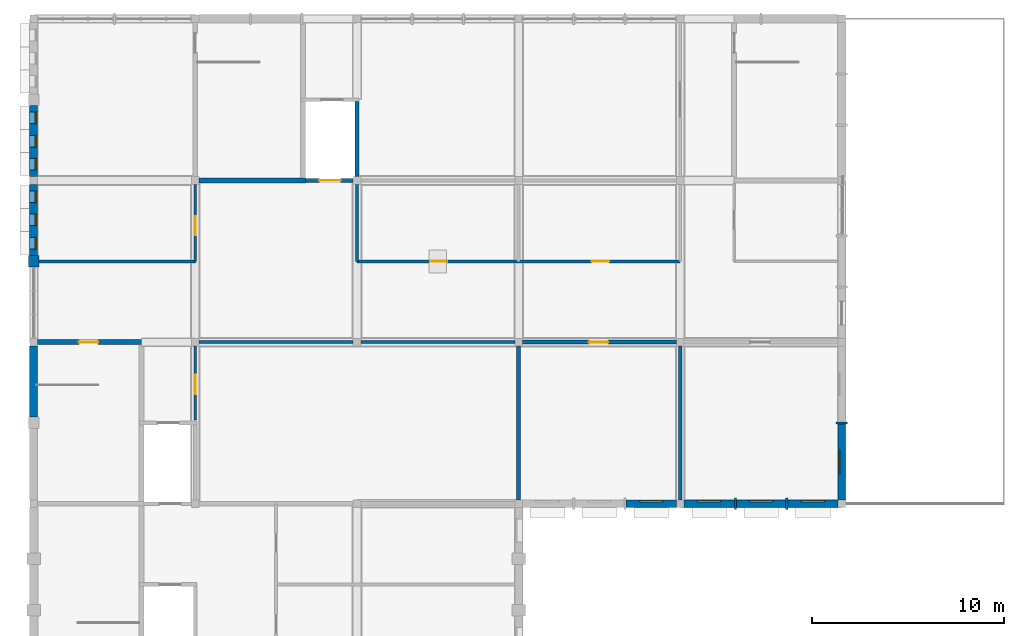
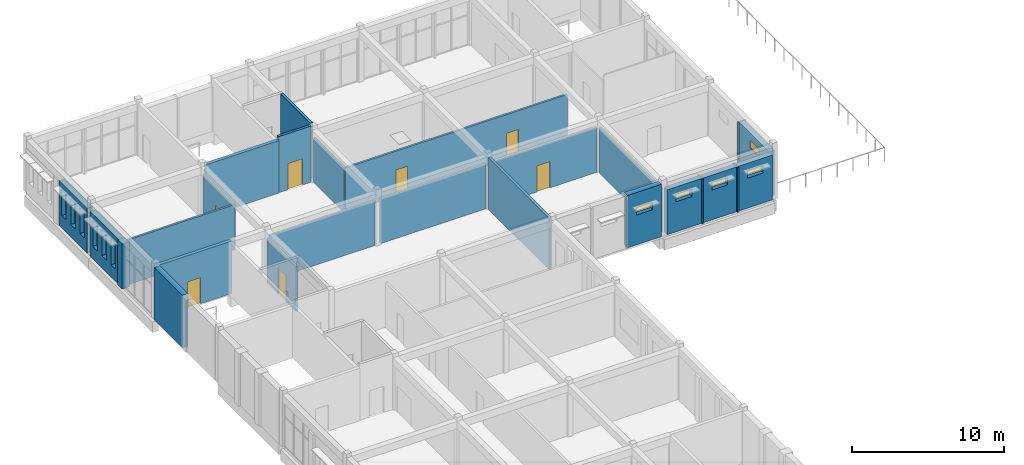
# One storey, part 13 of 15: 26 walls, 11 windows, 7 doors, 18 openings.
"""IFC4 building model written with IfcOpenShell, lengths in metres."""

from ifc_helpers import new_model, si_unit, direction, frame, frame_2d, origin, place, context, subcontext, project, spatial, rectangle, extrude, material, layer, layer_set, type_object, element, fill, save


model = new_model("IFC4")

# Units and contexts
model_context = context("Model", 3, precision=1e-05, world=origin(), true_north=direction((0.0, 1.0)))
body_context = subcontext(model_context, "Body", "Model", "MODEL_VIEW")
ifc_project = project(units=[si_unit("LENGTHUNIT", "METRE"), si_unit("AREAUNIT", "SQUARE_METRE"), si_unit("VOLUMEUNIT", "CUBIC_METRE"), si_unit("PLANEANGLEUNIT", "RADIAN"), si_unit("MASSUNIT", "GRAM", prefix="KILO")], contexts=[model_context])

# Site, building, storey
site_placement = place(None, origin())
site = spatial("IfcSite", under=ifc_project, at=site_placement, CompositionType="ELEMENT")
building_placement = place(site_placement, origin())
building = spatial("IfcBuilding", under=site, at=building_placement, Name="Fescue Hill Polytechnic", CompositionType="ELEMENT")
storey_placement = place(building_placement, frame((0.0, 0.0, 31.5)))
storey = spatial("IfcBuildingStorey", under=building, at=storey_placement, Name="L07", CompositionType="ELEMENT", Elevation=31.5)

# Wall
ifc_material_1 = material(Name="Clay brick masonry", Category="masonry")
ifc_layer_1 = layer(ifc_material_1, 0.550048828125)
ifc_layer_set_1 = layer_set([ifc_layer_1], Name="Clay brick masonry")
wall_type_1 = type_object("IfcWallType", Name="Brick pier 600x550", PredefinedType="SOLIDWALL", material=ifc_layer_set_1)
wall_1_placement = place(storey_placement, frame((0.0, 122.10009765625, 0.0), z_axis=(0.0, 0.0, 1.0), x_axis=(0.0, -1.0, 0.0)))
element("IfcWall", 1, at=wall_1_placement, inside=storey, type_object=wall_type_1, Name="PR-L07-V5-15", PredefinedType="SOLIDWALL", context=body_context, shape_type="SweptSolid", body=[
    extrude(rectangle(XDim=0.60009765625, YDim=0.550048828125, at=frame_2d((0.300048828125, 0.0))), origin(), (0.0, 0.0, 1.0), 3.60009765625),
])

# Wall, opening, door
ifc_material_2 = material(Name="Concrete 40 MPa", Category="concrete")
ifc_layer_2 = layer(ifc_material_2, 0.25)
ifc_layer_set_2 = layer_set([ifc_layer_2], Name="Concrete 40 MPa")
wall_type_2 = type_object("IfcWallType", Name="Core wall 250", PredefinedType="SHEAR", material=ifc_layer_set_2)
wall_2_placement = place(storey_placement, frame((0.199951171875, 117.60009765625, 0.0), z_axis=(0.0, 0.0, 1.0), x_axis=(1.0, 0.0, 0.0)))
wall_2 = element("IfcWall", 2, at=wall_2_placement, inside=storey, type_object=wall_type_2, Name="CW-L07-ST-V5-1-21", PredefinedType="SHEAR", context=body_context, shape_type="SweptSolid", body=[
    extrude(rectangle(XDim=5.525146484375, YDim=0.25, at=frame_2d((2.7626953125, 0.0))), origin(), (0.0, 0.0, 1.0), 4.199951171875),
])
opening_1_placement = place(wall_2_placement, frame((2.14990234375, 0.0, 0.0)))
opening_1 = element("IfcOpeningElement", 3, at=opening_1_placement, cuts=wall_2, Name="Opening D7026", PredefinedType="OPENING", context=body_context, shape_type="SweptSolid", body=[
    extrude(rectangle(XDim=1.0, YDim=2.10009765625, at=frame_2d((0.5, 1.050048828125))), frame((0.0, 0.135009765625, 0.0), z_axis=(0.0, -1.0, 0.0), x_axis=(1.0, 0.0, 0.0)), (0.0, 0.0, 1.0), 0.27001953125),
])
ifc_material_3 = material(Name="Steel fire door", Category="steel")
door_type_1 = type_object("IfcDoorType", Name="Door single swing 1000x2100 stair fire rated", OperationType="NOTDEFINED", PredefinedType="DOOR", material=ifc_material_3)
door_1_placement = place(opening_1_placement, origin())
door_1 = element("IfcDoor", 4, at=door_1_placement, inside=storey, type_object=door_type_1, Name="L07 ST-V5-1 stair door", OperationType="SINGLE_SWING_LEFT", OverallHeight=2.10009765625, OverallWidth=1.0, PredefinedType="DOOR", context=body_context, shape_type="SweptSolid", body=[
    extrude(rectangle(XDim=1.0, YDim=2.10009765625, at=frame_2d((0.5, 1.050048828125))), frame((0.0, 0.02490234375, 0.0), z_axis=(0.0, -1.0, 0.0), x_axis=(1.0, 0.0, 0.0)), (0.0, 0.0, 1.0), 0.050048828125),
])
fill(opening_1, door_1)

# Walls
wall_3_placement = place(storey_placement, frame((8.60009765625, 126.0, 0.0), z_axis=(0.0, 0.0, 1.0), x_axis=(1.0, 0.0, 0.0)))
element("IfcWall", 5, at=wall_3_placement, inside=storey, type_object=wall_type_2, Name="CW-L07-ST-V5-3-11", PredefinedType="SHEAR", context=body_context, shape_type="SweptSolid", body=[
    extrude(rectangle(XDim=5.52490234375, YDim=0.25, at=frame_2d((2.762451171875, 0.0))), origin(), (0.0, 0.0, 1.0), 4.199951171875),
])
ifc_material_4 = material(Name="Gypsum board partition")
ifc_layer_3 = layer(ifc_material_4, 0.14990234375)
ifc_layer_set_3 = layer_set([ifc_layer_3], Name="Gypsum board partition")
wall_type_3 = type_object("IfcWallType", Name="Corridor wall 150 EI 45", PredefinedType="PARTITIONING", material=ifc_layer_set_3)
for number, where, z_axis, x_axis, name in (
    (6, (8.60009765625, 117.60009765625, 0.0), (0.0, 0.0, 1.0), (1.0, 0.0, 0.0), "IW-L07-021"),
    (7, (17.0, 117.60009765625, 0.0), (0.0, 0.0, 1.0), (1.0, 0.0, 0.0), "IW-L07-022"),
):
    element("IfcWall", number, at=place(storey_placement, frame(where, z_axis=z_axis, x_axis=x_axis)), inside=storey, type_object=wall_type_3, Name=name, PredefinedType="PARTITIONING", context=body_context, shape_type="SweptSolid", body=[
        extrude(rectangle(XDim=8.0, YDim=0.14990234375, at=frame_2d((4.0, 0.0))), origin(), (0.0, 0.0, 1.0), 3.60009765625),
    ])
wall_4_placement = place(storey_placement, frame((0.27490234375, 121.800048828125, 0.0), z_axis=(0.0, 0.0, 1.0), x_axis=(1.0, 0.0, 0.0)))
element("IfcWall", 8, at=wall_4_placement, inside=storey, type_object=wall_type_3, Name="IW-L07-025", PredefinedType="PARTITIONING", context=body_context, shape_type="SweptSolid", body=[
    extrude(rectangle(XDim=8.125, YDim=0.14990234375, at=frame_2d((4.0625, 0.0))), origin(), (0.0, 0.0, 1.0), 3.60009765625),
])

# Wall, openings, doors
wall_5_placement = place(storey_placement, frame((16.800048828125, 121.800048828125, 0.0), z_axis=(0.0, 0.0, 1.0), x_axis=(1.0, 0.0, 0.0)))
wall_5 = element("IfcWall", 9, at=wall_5_placement, inside=storey, type_object=wall_type_3, Name="IW-L07-026", PredefinedType="PARTITIONING", context=body_context, shape_type="SweptSolid", body=[
    extrude(rectangle(XDim=16.800048828125, YDim=0.14990234375, at=frame_2d((8.39990234375, 0.0))), origin(), (0.0, 0.0, 1.0), 3.60009765625),
])
opening_2_placement = place(wall_5_placement, frame((3.800048828125, 0.0, 0.0)))
opening_2 = element("IfcOpeningElement", 10, at=opening_2_placement, cuts=wall_5, Name="Opening D7019", PredefinedType="OPENING", context=body_context, shape_type="SweptSolid", body=[
    extrude(rectangle(XDim=0.89990234375, YDim=2.10009765625, at=frame_2d((0.449951171875, 1.050048828125))), frame((0.0, 0.0849609375, 0.0), z_axis=(0.0, -1.0, 0.0), x_axis=(1.0, 0.0, 0.0)), (0.0, 0.0, 1.0), 0.169921875),
])
opening_3_placement = place(wall_5_placement, frame((12.199951171875, 0.0, 0.0)))
opening_3 = element("IfcOpeningElement", 11, at=opening_3_placement, cuts=wall_5, Name="Opening D7020", PredefinedType="OPENING", context=body_context, shape_type="SweptSolid", body=[
    extrude(rectangle(XDim=0.89990234375, YDim=2.10009765625, at=frame_2d((0.449951171875, 1.050048828125))), frame((0.0, 0.0849609375, 0.0), z_axis=(0.0, -1.0, 0.0), x_axis=(1.0, 0.0, 0.0)), (0.0, 0.0, 1.0), 0.169921875),
])
ifc_material_5 = material(Name="Timber", Category="wood")
door_type_2 = type_object("IfcDoorType", Name="Door single swing 900x2100 FD30S", OperationType="SINGLE_SWING_LEFT", PredefinedType="DOOR", material=ifc_material_5)
door_2_placement = place(opening_2_placement, origin())
door_2 = element("IfcDoor", 12, at=door_2_placement, inside=storey, type_object=door_type_2, Name="Door D7019", OperationType="SINGLE_SWING_LEFT", OverallHeight=2.10009765625, OverallWidth=0.89990234375, PredefinedType="DOOR", context=body_context, shape_type="SweptSolid", body=[
    extrude(rectangle(XDim=0.89990234375, YDim=2.10009765625, at=frame_2d((0.449951171875, 1.050048828125))), frame((0.0, 0.02490234375, 0.0), z_axis=(0.0, -1.0, 0.0), x_axis=(1.0, 0.0, 0.0)), (0.0, 0.0, 1.0), 0.050048828125),
])
fill(opening_2, door_2)
door_3_placement = place(opening_3_placement, origin())
door_3 = element("IfcDoor", 13, at=door_3_placement, inside=storey, type_object=door_type_2, Name="Door D7020", OperationType="SINGLE_SWING_RIGHT", OverallHeight=2.10009765625, OverallWidth=0.89990234375, PredefinedType="DOOR", context=body_context, shape_type="SweptSolid", body=[
    extrude(rectangle(XDim=0.89990234375, YDim=2.10009765625, at=frame_2d((0.449951171875, 1.050048828125))), frame((0.0, 0.02490234375, 0.0), z_axis=(0.0, -1.0, 0.0), x_axis=(1.0, 0.0, 0.0)), (0.0, 0.0, 1.0), 0.050048828125),
])
fill(opening_3, door_3)

# Wall, openings, windows
ifc_layer_4 = layer(ifc_material_1, 0.419921875)
ifc_layer_set_4 = layer_set([ifc_layer_4], Name="Clay brick masonry")
wall_type_4 = type_object("IfcWallType", Name="Exterior wall buff-red brick cavity 420", PredefinedType="SOLIDWALL", material=ifc_layer_set_4)
wall_6_placement = place(storey_placement, frame((0.0, 129.89990234375, 0.0), z_axis=(0.0, 0.0, 1.0), x_axis=(0.0, -1.0, 0.0)))
wall_6 = element("IfcWall", 14, at=wall_6_placement, inside=storey, type_object=wall_type_4, Name="EW-L07-V5-16", PredefinedType="SOLIDWALL", context=body_context, shape_type="SweptSolid", body=[
    extrude(rectangle(XDim=3.699951171875, YDim=0.419921875, at=frame_2d((1.85009765625, 0.0))), origin(), (0.0, 0.0, 1.0), 3.60009765625),
])
opening_4_placement = place(wall_6_placement, frame((0.35009765625, 0.0, 1.0)))
opening_4 = element("IfcOpeningElement", 15, at=opening_4_placement, cuts=wall_6, Name="Opening W6", PredefinedType="OPENING", context=body_context, shape_type="SweptSolid", body=[
    extrude(rectangle(XDim=0.60009765625, YDim=2.10009765625, at=frame_2d((0.300048828125, 1.050048828125))), frame((0.0, 0.219970703125, 0.0), z_axis=(0.0, -1.0, 0.0), x_axis=(1.0, 0.0, 0.0)), (0.0, 0.0, 1.0), 0.43994140625),
])
opening_5_placement = place(wall_6_placement, frame((1.550048828125, 0.0, 1.0)))
opening_5 = element("IfcOpeningElement", 16, at=opening_5_placement, cuts=wall_6, Name="Opening W6", PredefinedType="OPENING", context=body_context, shape_type="SweptSolid", body=[
    extrude(rectangle(XDim=0.60009765625, YDim=2.10009765625, at=frame_2d((0.300048828125, 1.050048828125))), frame((0.0, 0.219970703125, 0.0), z_axis=(0.0, -1.0, 0.0), x_axis=(1.0, 0.0, 0.0)), (0.0, 0.0, 1.0), 0.43994140625),
])
opening_6_placement = place(wall_6_placement, frame((2.75, 0.0, 1.0)))
opening_6 = element("IfcOpeningElement", 17, at=opening_6_placement, cuts=wall_6, Name="Opening W6", PredefinedType="OPENING", context=body_context, shape_type="SweptSolid", body=[
    extrude(rectangle(XDim=0.60009765625, YDim=2.10009765625, at=frame_2d((0.300048828125, 1.050048828125))), frame((0.0, 0.219970703125, 0.0), z_axis=(0.0, -1.0, 0.0), x_axis=(1.0, 0.0, 0.0)), (0.0, 0.0, 1.0), 0.43994140625),
])
ifc_material_6 = material(Name="Powder-coated aluminium and glass", Category="aluminium")
window_type_1 = type_object("IfcWindowType", Name="Window slot 600x2100", PartitioningType="SINGLE_PANEL", PredefinedType="WINDOW", material=ifc_material_6)
window_1_placement = place(opening_4_placement, origin())
window_1 = element("IfcWindow", 18, at=window_1_placement, inside=storey, type_object=window_type_1, Name="WN-L07-V5-6", OverallHeight=2.10009765625, OverallWidth=0.60009765625, PartitioningType="SINGLE_PANEL", PredefinedType="WINDOW", context=body_context, shape_type="SweptSolid", body=[
    extrude(rectangle(XDim=0.60009765625, YDim=2.10009765625, at=frame_2d((0.300048828125, 1.050048828125))), frame((0.0, 0.150146484375, 0.0), z_axis=(0.0, -1.0, 0.0), x_axis=(1.0, 0.0, 0.0)), (0.0, 0.0, 1.0), 0.06005859375),
])
fill(opening_4, window_1)
window_2_placement = place(opening_5_placement, origin())
window_2 = element("IfcWindow", 19, at=window_2_placement, inside=storey, type_object=window_type_1, Name="WN-L07-V5-7", OverallHeight=2.10009765625, OverallWidth=0.60009765625, PartitioningType="SINGLE_PANEL", PredefinedType="WINDOW", context=body_context, shape_type="SweptSolid", body=[
    extrude(rectangle(XDim=0.60009765625, YDim=2.10009765625, at=frame_2d((0.300048828125, 1.050048828125))), frame((0.0, 0.150146484375, 0.0), z_axis=(0.0, -1.0, 0.0), x_axis=(1.0, 0.0, 0.0)), (0.0, 0.0, 1.0), 0.06005859375),
])
fill(opening_5, window_2)
window_3_placement = place(opening_6_placement, origin())
window_3 = element("IfcWindow", 20, at=window_3_placement, inside=storey, type_object=window_type_1, Name="WN-L07-V5-8", OverallHeight=2.10009765625, OverallWidth=0.60009765625, PartitioningType="SINGLE_PANEL", PredefinedType="WINDOW", context=body_context, shape_type="SweptSolid", body=[
    extrude(rectangle(XDim=0.60009765625, YDim=2.10009765625, at=frame_2d((0.300048828125, 1.050048828125))), frame((0.0, 0.150146484375, 0.0), z_axis=(0.0, -1.0, 0.0), x_axis=(1.0, 0.0, 0.0)), (0.0, 0.0, 1.0), 0.06005859375),
])
fill(opening_6, window_3)

wall_7_placement = place(storey_placement, frame((0.0, 125.800048828125, 0.0), z_axis=(0.0, 0.0, 1.0), x_axis=(0.0, -1.0, 0.0)))
wall_7 = element("IfcWall", 21, at=wall_7_placement, inside=storey, type_object=wall_type_4, Name="EW-L07-V5-17", PredefinedType="SOLIDWALL", context=body_context, shape_type="SweptSolid", body=[
    extrude(rectangle(XDim=3.699951171875, YDim=0.419921875, at=frame_2d((1.85009765625, 0.0))), origin(), (0.0, 0.0, 1.0), 3.60009765625),
])
opening_7_placement = place(wall_7_placement, frame((0.35009765625, 0.0, 1.0)))
opening_7 = element("IfcOpeningElement", 22, at=opening_7_placement, cuts=wall_7, Name="Opening W6", PredefinedType="OPENING", context=body_context, shape_type="SweptSolid", body=[
    extrude(rectangle(XDim=0.60009765625, YDim=2.10009765625, at=frame_2d((0.300048828125, 1.050048828125))), frame((0.0, 0.219970703125, 0.0), z_axis=(0.0, -1.0, 0.0), x_axis=(1.0, 0.0, 0.0)), (0.0, 0.0, 1.0), 0.43994140625),
])
opening_8_placement = place(wall_7_placement, frame((1.550048828125, 0.0, 1.0)))
opening_8 = element("IfcOpeningElement", 23, at=opening_8_placement, cuts=wall_7, Name="Opening W6", PredefinedType="OPENING", context=body_context, shape_type="SweptSolid", body=[
    extrude(rectangle(XDim=0.60009765625, YDim=2.10009765625, at=frame_2d((0.300048828125, 1.050048828125))), frame((0.0, 0.219970703125, 0.0), z_axis=(0.0, -1.0, 0.0), x_axis=(1.0, 0.0, 0.0)), (0.0, 0.0, 1.0), 0.43994140625),
])
opening_9_placement = place(wall_7_placement, frame((2.75, 0.0, 1.0)))
opening_9 = element("IfcOpeningElement", 24, at=opening_9_placement, cuts=wall_7, Name="Opening W6", PredefinedType="OPENING", context=body_context, shape_type="SweptSolid", body=[
    extrude(rectangle(XDim=0.60009765625, YDim=2.10009765625, at=frame_2d((0.300048828125, 1.050048828125))), frame((0.0, 0.219970703125, 0.0), z_axis=(0.0, -1.0, 0.0), x_axis=(1.0, 0.0, 0.0)), (0.0, 0.0, 1.0), 0.43994140625),
])
window_4_placement = place(opening_7_placement, origin())
window_4 = element("IfcWindow", 25, at=window_4_placement, inside=storey, type_object=window_type_1, Name="WN-L07-V5-9", OverallHeight=2.10009765625, OverallWidth=0.60009765625, PartitioningType="SINGLE_PANEL", PredefinedType="WINDOW", context=body_context, shape_type="SweptSolid", body=[
    extrude(rectangle(XDim=0.60009765625, YDim=2.10009765625, at=frame_2d((0.300048828125, 1.050048828125))), frame((0.0, 0.150146484375, 0.0), z_axis=(0.0, -1.0, 0.0), x_axis=(1.0, 0.0, 0.0)), (0.0, 0.0, 1.0), 0.06005859375),
])
fill(opening_7, window_4)
window_5_placement = place(opening_8_placement, origin())
window_5 = element("IfcWindow", 26, at=window_5_placement, inside=storey, type_object=window_type_1, Name="WN-L07-V5-10", OverallHeight=2.10009765625, OverallWidth=0.60009765625, PartitioningType="SINGLE_PANEL", PredefinedType="WINDOW", context=body_context, shape_type="SweptSolid", body=[
    extrude(rectangle(XDim=0.60009765625, YDim=2.10009765625, at=frame_2d((0.300048828125, 1.050048828125))), frame((0.0, 0.150146484375, 0.0), z_axis=(0.0, -1.0, 0.0), x_axis=(1.0, 0.0, 0.0)), (0.0, 0.0, 1.0), 0.06005859375),
])
fill(opening_8, window_5)
window_6_placement = place(opening_9_placement, origin())
window_6 = element("IfcWindow", 27, at=window_6_placement, inside=storey, type_object=window_type_1, Name="WN-L07-V5-11", OverallHeight=2.10009765625, OverallWidth=0.60009765625, PartitioningType="SINGLE_PANEL", PredefinedType="WINDOW", context=body_context, shape_type="SweptSolid", body=[
    extrude(rectangle(XDim=0.60009765625, YDim=2.10009765625, at=frame_2d((0.300048828125, 1.050048828125))), frame((0.0, 0.150146484375, 0.0), z_axis=(0.0, -1.0, 0.0), x_axis=(1.0, 0.0, 0.0)), (0.0, 0.0, 1.0), 0.06005859375),
])
fill(opening_9, window_6)

# Wall
ifc_layer_5 = layer(ifc_material_1, 0.419921875)
ifc_layer_set_5 = layer_set([ifc_layer_5], Name="Clay brick masonry")
wall_type_5 = type_object("IfcWallType", Name="Exterior wall buff-red brick cavity 420 load-bearing", PredefinedType="SOLIDWALL", material=ifc_layer_set_5)
wall_8_placement = place(storey_placement, frame((0.0, 117.39990234375, 0.0), z_axis=(0.0, 0.0, 1.0), x_axis=(0.0, -1.0, 0.0)))
element("IfcWall", 28, at=wall_8_placement, inside=storey, type_object=wall_type_5, Name="EW-L07-V5-19", PredefinedType="SOLIDWALL", context=body_context, shape_type="SweptSolid", body=[
    extrude(rectangle(XDim=3.699951171875, YDim=0.419921875, at=frame_2d((1.85009765625, 0.0))), origin(), (0.0, 0.0, 1.0), 4.199951171875),
])

# Wall, opening, window
ifc_layer_6 = layer(ifc_material_1, 0.39990234375)
ifc_layer_set_6 = layer_set([ifc_layer_6], Name="Clay brick masonry")
wall_type_6 = type_object("IfcWallType", Name="Exterior wall clinker brick cavity 400", PredefinedType="SOLIDWALL", material=ifc_layer_set_6)
wall_9_placement = place(storey_placement, frame((42.0, 109.39990234375, 0.0), z_axis=(0.0, 0.0, 1.0), x_axis=(0.0, 1.0, 0.0)))
wall_9 = element("IfcWall", 29, at=wall_9_placement, inside=storey, type_object=wall_type_6, Name="EW-L07-V5-1", PredefinedType="SOLIDWALL", context=body_context, shape_type="SweptSolid", body=[
    extrude(rectangle(XDim=3.940185546875, YDim=0.39990234375, at=frame_2d((1.97021484375, 0.0))), origin(), (0.0, 0.0, 1.0), 3.60009765625),
])
opening_10_placement = place(wall_9_placement, frame((1.3701171875, 0.0, 2.39990234375)))
opening_10 = element("IfcOpeningElement", 30, at=opening_10_placement, cuts=wall_9, Name="Opening W12", PredefinedType="OPENING", context=body_context, shape_type="SweptSolid", body=[
    extrude(rectangle(XDim=1.199951171875, YDim=0.60009765625, at=frame_2d((0.60009765625, 0.300048828125))), frame((0.0, 0.2099609375, 0.0), z_axis=(0.0, -1.0, 0.0), x_axis=(1.0, 0.0, 0.0)), (0.0, 0.0, 1.0), 0.419921875),
])
window_type_2 = type_object("IfcWindowType", Name="Window plant and store high-level 1200x600", PartitioningType="SINGLE_PANEL", PredefinedType="WINDOW", material=ifc_material_6)
window_7_placement = place(opening_10_placement, origin())
window_7 = element("IfcWindow", 31, at=window_7_placement, inside=storey, type_object=window_type_2, Name="WN-L07-V5-1", OverallHeight=0.60009765625, OverallWidth=1.199951171875, PartitioningType="SINGLE_PANEL", PredefinedType="WINDOW", context=body_context, shape_type="SweptSolid", body=[
    extrude(rectangle(XDim=1.199951171875, YDim=0.60009765625, at=frame_2d((0.60009765625, 0.300048828125))), frame((0.0, 0.159912109375, 0.0), z_axis=(0.0, -1.0, 0.0), x_axis=(1.0, 0.0, 0.0)), (0.0, 0.0, 1.0), 0.06005859375),
])
fill(opening_10, window_7)

wall_10_placement = place(storey_placement, frame((30.793212890625, 109.199951171875, 0.0), z_axis=(0.0, 0.0, 1.0), x_axis=(1.0, 0.0, 0.0)))
wall_10 = element("IfcWall", 32, at=wall_10_placement, inside=storey, type_object=wall_type_6, Name="EW-L07-V5-23", PredefinedType="SOLIDWALL", context=body_context, shape_type="SweptSolid", body=[
    extrude(rectangle(XDim=2.606689453125, YDim=0.39990234375, at=frame_2d((1.30322265625, 0.0))), origin(), (0.0, 0.0, 1.0), 4.199951171875),
])
opening_11_placement = place(wall_10_placement, frame((0.703369140625, 0.0, 2.39990234375)))
opening_11 = element("IfcOpeningElement", 33, at=opening_11_placement, cuts=wall_10, Name="Opening W12", PredefinedType="OPENING", context=body_context, shape_type="SweptSolid", body=[
    extrude(rectangle(XDim=1.199951171875, YDim=0.60009765625, at=frame_2d((0.60009765625, 0.300048828125))), frame((0.0, 0.2099609375, 0.0), z_axis=(0.0, -1.0, 0.0), x_axis=(1.0, 0.0, 0.0)), (0.0, 0.0, 1.0), 0.419921875),
])
window_8_placement = place(opening_11_placement, origin())
window_8 = element("IfcWindow", 34, at=window_8_placement, inside=storey, type_object=window_type_2, Name="WN-L07-V5-14", OverallHeight=0.60009765625, OverallWidth=1.199951171875, PartitioningType="SINGLE_PANEL", PredefinedType="WINDOW", context=body_context, shape_type="SweptSolid", body=[
    extrude(rectangle(XDim=1.199951171875, YDim=0.60009765625, at=frame_2d((0.60009765625, 0.300048828125))), frame((0.0, 0.159912109375, 0.0), z_axis=(0.0, -1.0, 0.0), x_axis=(1.0, 0.0, 0.0)), (0.0, 0.0, 1.0), 0.06005859375),
])
fill(opening_11, window_8)

wall_11_placement = place(storey_placement, frame((33.800048828125, 109.199951171875, 0.0), z_axis=(0.0, 0.0, 1.0), x_axis=(1.0, 0.0, 0.0)))
wall_11 = element("IfcWall", 35, at=wall_11_placement, inside=storey, type_object=wall_type_6, Name="EW-L07-V5-24", PredefinedType="SOLIDWALL", context=body_context, shape_type="SweptSolid", body=[
    extrude(rectangle(XDim=2.606689453125, YDim=0.39990234375, at=frame_2d((1.30322265625, 0.0))), origin(), (0.0, 0.0, 1.0), 3.60009765625),
])
opening_12_placement = place(wall_11_placement, frame((0.703369140625, 0.0, 2.39990234375)))
opening_12 = element("IfcOpeningElement", 36, at=opening_12_placement, cuts=wall_11, Name="Opening W12", PredefinedType="OPENING", context=body_context, shape_type="SweptSolid", body=[
    extrude(rectangle(XDim=1.199951171875, YDim=0.60009765625, at=frame_2d((0.60009765625, 0.300048828125))), frame((0.0, 0.2099609375, 0.0), z_axis=(0.0, -1.0, 0.0), x_axis=(1.0, 0.0, 0.0)), (0.0, 0.0, 1.0), 0.419921875),
])
window_9_placement = place(opening_12_placement, origin())
window_9 = element("IfcWindow", 37, at=window_9_placement, inside=storey, type_object=window_type_2, Name="WN-L07-V5-15", OverallHeight=0.60009765625, OverallWidth=1.199951171875, PartitioningType="SINGLE_PANEL", PredefinedType="WINDOW", context=body_context, shape_type="SweptSolid", body=[
    extrude(rectangle(XDim=1.199951171875, YDim=0.60009765625, at=frame_2d((0.60009765625, 0.300048828125))), frame((0.0, 0.159912109375, 0.0), z_axis=(0.0, -1.0, 0.0), x_axis=(1.0, 0.0, 0.0)), (0.0, 0.0, 1.0), 0.06005859375),
])
fill(opening_12, window_9)

wall_12_placement = place(storey_placement, frame((36.526611328125, 109.199951171875, 0.0), z_axis=(0.0, 0.0, 1.0), x_axis=(1.0, 0.0, 0.0)))
wall_12 = element("IfcWall", 38, at=wall_12_placement, inside=storey, type_object=wall_type_6, Name="EW-L07-V5-25", PredefinedType="SOLIDWALL", context=body_context, shape_type="SweptSolid", body=[
    extrude(rectangle(XDim=2.546630859375, YDim=0.39990234375, at=frame_2d((1.2734375, 0.0))), origin(), (0.0, 0.0, 1.0), 3.60009765625),
])
opening_13_placement = place(wall_12_placement, frame((0.67333984375, 0.0, 2.39990234375)))
opening_13 = element("IfcOpeningElement", 39, at=opening_13_placement, cuts=wall_12, Name="Opening W12", PredefinedType="OPENING", context=body_context, shape_type="SweptSolid", body=[
    extrude(rectangle(XDim=1.199951171875, YDim=0.60009765625, at=frame_2d((0.60009765625, 0.300048828125))), frame((0.0, 0.2099609375, 0.0), z_axis=(0.0, -1.0, 0.0), x_axis=(1.0, 0.0, 0.0)), (0.0, 0.0, 1.0), 0.419921875),
])
window_10_placement = place(opening_13_placement, origin())
window_10 = element("IfcWindow", 40, at=window_10_placement, inside=storey, type_object=window_type_2, Name="WN-L07-V5-16", OverallHeight=0.60009765625, OverallWidth=1.199951171875, PartitioningType="SINGLE_PANEL", PredefinedType="WINDOW", context=body_context, shape_type="SweptSolid", body=[
    extrude(rectangle(XDim=1.199951171875, YDim=0.60009765625, at=frame_2d((0.60009765625, 0.300048828125))), frame((0.0, 0.159912109375, 0.0), z_axis=(0.0, -1.0, 0.0), x_axis=(1.0, 0.0, 0.0)), (0.0, 0.0, 1.0), 0.06005859375),
])
fill(opening_13, window_10)

wall_13_placement = place(storey_placement, frame((39.193359375, 109.199951171875, 0.0), z_axis=(0.0, 0.0, 1.0), x_axis=(1.0, 0.0, 0.0)))
wall_13 = element("IfcWall", 41, at=wall_13_placement, inside=storey, type_object=wall_type_6, Name="EW-L07-V5-26", PredefinedType="SOLIDWALL", context=body_context, shape_type="SweptSolid", body=[
    extrude(rectangle(XDim=2.606689453125, YDim=0.39990234375, at=frame_2d((1.30322265625, 0.0))), origin(), (0.0, 0.0, 1.0), 3.60009765625),
])
opening_14_placement = place(wall_13_placement, frame((0.703369140625, 0.0, 2.39990234375)))
opening_14 = element("IfcOpeningElement", 42, at=opening_14_placement, cuts=wall_13, Name="Opening W12", PredefinedType="OPENING", context=body_context, shape_type="SweptSolid", body=[
    extrude(rectangle(XDim=1.199951171875, YDim=0.60009765625, at=frame_2d((0.60009765625, 0.300048828125))), frame((0.0, 0.2099609375, 0.0), z_axis=(0.0, -1.0, 0.0), x_axis=(1.0, 0.0, 0.0)), (0.0, 0.0, 1.0), 0.419921875),
])
window_11_placement = place(opening_14_placement, origin())
window_11 = element("IfcWindow", 43, at=window_11_placement, inside=storey, type_object=window_type_2, Name="WN-L07-V5-17", OverallHeight=0.60009765625, OverallWidth=1.199951171875, PartitioningType="SINGLE_PANEL", PredefinedType="WINDOW", context=body_context, shape_type="SweptSolid", body=[
    extrude(rectangle(XDim=1.199951171875, YDim=0.60009765625, at=frame_2d((0.60009765625, 0.300048828125))), frame((0.0, 0.159912109375, 0.0), z_axis=(0.0, -1.0, 0.0), x_axis=(1.0, 0.0, 0.0)), (0.0, 0.0, 1.0), 0.06005859375),
])
fill(opening_14, window_11)

# Wall
ifc_layer_7 = layer(ifc_material_2, 0.199951171875)
ifc_layer_set_7 = layer_set([ifc_layer_7], Name="Concrete 40 MPa")
wall_type_7 = type_object("IfcWallType", Name="Lift shaft wall 200", PredefinedType="SHEAR", material=ifc_layer_set_7)
wall_14_placement = place(storey_placement, frame((16.800048828125, 126.199951171875, 0.0), z_axis=(0.0, 0.0, 1.0), x_axis=(0.0, 1.0, 0.0)))
element("IfcWall", 44, at=wall_14_placement, inside=storey, type_object=wall_type_7, Name="CW-L07-LF-V5-2-41", PredefinedType="SHEAR", context=body_context, shape_type="SweptSolid", body=[
    extrude(rectangle(XDim=3.900146484375, YDim=0.199951171875, at=frame_2d((1.9501953125, 0.0))), origin(), (0.0, 0.0, 1.0), 4.5),
])

# Wall, opening, door
wall_15_placement = place(storey_placement, frame((14.125, 126.0, 0.0), z_axis=(0.0, 0.0, 1.0), x_axis=(1.0, 0.0, 0.0)))
wall_15 = element("IfcWall", 45, at=wall_15_placement, inside=storey, type_object=wall_type_7, Name="CW-L07-LF-V5-2-11", PredefinedType="SHEAR", context=body_context, shape_type="SweptSolid", body=[
    extrude(rectangle(XDim=2.47509765625, YDim=0.199951171875, at=frame_2d((1.237548828125, 0.0))), origin(), (0.0, 0.0, 1.0), 4.5),
])
opening_15_placement = place(wall_15_placement, frame((0.72509765625, 0.0, 0.0)))
opening_15 = element("IfcOpeningElement", 46, at=opening_15_placement, cuts=wall_15, Name="Opening LD7-L07", PredefinedType="OPENING", context=body_context, shape_type="SweptSolid", body=[
    extrude(rectangle(XDim=1.10009765625, YDim=2.10009765625, at=frame_2d((0.550048828125, 1.050048828125))), frame((0.0, 0.10986328125, 0.0), z_axis=(0.0, -1.0, 0.0), x_axis=(1.0, 0.0, 0.0)), (0.0, 0.0, 1.0), 0.219970703125),
])
ifc_material_7 = material(Name="Stainless steel", Category="steel")
door_type_3 = type_object("IfcDoorType", Name="Lift landing door sliding 1100x2100", OperationType="SLIDING_TO_LEFT", PredefinedType="DOOR", material=ifc_material_7)
door_4_placement = place(opening_15_placement, origin())
door_4 = element("IfcDoor", 47, at=door_4_placement, inside=storey, type_object=door_type_3, Name="L07 LF-V5-2 lift landing door", OperationType="SLIDING_TO_RIGHT", OverallHeight=2.10009765625, OverallWidth=1.10009765625, PredefinedType="DOOR", context=body_context, shape_type="SweptSolid", body=[
    extrude(rectangle(XDim=1.10009765625, YDim=2.10009765625, at=frame_2d((0.550048828125, 1.050048828125))), frame((0.0, 0.02490234375, 0.0), z_axis=(0.0, -1.0, 0.0), x_axis=(1.0, 0.0, 0.0)), (0.0, 0.0, 1.0), 0.050048828125),
])
fill(opening_15, door_4)

ifc_layer_8 = layer(ifc_material_4, 0.14990234375)
ifc_layer_set_8 = layer_set([ifc_layer_8], Name="Gypsum board partition")
wall_type_8 = type_object("IfcWallType", Name="Lobby wall 150 EI 60", PredefinedType="PARTITIONING", material=ifc_layer_set_8)
wall_16_placement = place(storey_placement, frame((8.39990234375, 113.550048828125, 0.0), z_axis=(0.0, 0.0, 1.0), x_axis=(0.0, 1.0, 0.0)))
wall_16 = element("IfcWall", 48, at=wall_16_placement, inside=storey, type_object=wall_type_8, Name="IW-L07-034", PredefinedType="PARTITIONING", context=body_context, shape_type="SweptSolid", body=[
    extrude(rectangle(XDim=3.849853515625, YDim=0.14990234375, at=frame_2d((1.9248046875, 0.0))), origin(), (0.0, 0.0, 1.0), 3.60009765625),
])
opening_16_placement = place(wall_16_placement, frame((1.35009765625, 0.0, 0.0)))
opening_16 = element("IfcOpeningElement", 49, at=opening_16_placement, cuts=wall_16, Name="Opening D7016", PredefinedType="OPENING", context=body_context, shape_type="SweptSolid", body=[
    extrude(rectangle(XDim=1.0, YDim=2.10009765625, at=frame_2d((0.5, 1.050048828125))), frame((0.0, 0.0849609375, 0.0), z_axis=(0.0, -1.0, 0.0), x_axis=(1.0, 0.0, 0.0)), (0.0, 0.0, 1.0), 0.169921875),
])
ifc_material_8 = material(Name="Steel", Category="steel")
door_type_4 = type_object("IfcDoorType", Name="Door single swing 1000x2100 FD60", OperationType="SINGLE_SWING_LEFT", PredefinedType="DOOR", material=ifc_material_8)
door_5_placement = place(opening_16_placement, origin())
door_5 = element("IfcDoor", 50, at=door_5_placement, inside=storey, type_object=door_type_4, Name="Door D7016", OperationType="SINGLE_SWING_LEFT", OverallHeight=2.10009765625, OverallWidth=1.0, PredefinedType="DOOR", context=body_context, shape_type="SweptSolid", body=[
    extrude(rectangle(XDim=1.0, YDim=2.10009765625, at=frame_2d((0.5, 1.050048828125))), frame((0.0, 0.02490234375, 0.0), z_axis=(0.0, -1.0, 0.0), x_axis=(1.0, 0.0, 0.0)), (0.0, 0.0, 1.0), 0.050048828125),
])
fill(opening_16, door_5)

wall_17_placement = place(storey_placement, frame((8.39990234375, 121.800048828125, 0.0), z_axis=(0.0, 0.0, 1.0), x_axis=(0.0, 1.0, 0.0)))
wall_17 = element("IfcWall", 51, at=wall_17_placement, inside=storey, type_object=wall_type_8, Name="IW-L07-035", PredefinedType="PARTITIONING", context=body_context, shape_type="SweptSolid", body=[
    extrude(rectangle(XDim=4.0, YDim=0.14990234375, at=frame_2d((2.0, 0.0))), origin(), (0.0, 0.0, 1.0), 3.60009765625),
])
opening_17_placement = place(wall_17_placement, frame((1.35009765625, 0.0, 0.0)))
opening_17 = element("IfcOpeningElement", 52, at=opening_17_placement, cuts=wall_17, Name="Opening D7022", PredefinedType="OPENING", context=body_context, shape_type="SweptSolid", body=[
    extrude(rectangle(XDim=1.0, YDim=2.10009765625, at=frame_2d((0.5, 1.050048828125))), frame((0.0, 0.0849609375, 0.0), z_axis=(0.0, -1.0, 0.0), x_axis=(1.0, 0.0, 0.0)), (0.0, 0.0, 1.0), 0.169921875),
])
door_6_placement = place(opening_17_placement, origin())
door_6 = element("IfcDoor", 53, at=door_6_placement, inside=storey, type_object=door_type_4, Name="Door D7022", OperationType="SINGLE_SWING_LEFT", OverallHeight=2.10009765625, OverallWidth=1.0, PredefinedType="DOOR", context=body_context, shape_type="SweptSolid", body=[
    extrude(rectangle(XDim=1.0, YDim=2.10009765625, at=frame_2d((0.5, 1.050048828125))), frame((0.0, 0.02490234375, 0.0), z_axis=(0.0, -1.0, 0.0), x_axis=(1.0, 0.0, 0.0)), (0.0, 0.0, 1.0), 0.050048828125),
])
fill(opening_17, door_6)

# Wall
wall_18_placement = place(storey_placement, frame((16.800048828125, 121.800048828125, 0.0), z_axis=(0.0, 0.0, 1.0), x_axis=(0.0, 1.0, 0.0)))
element("IfcWall", 54, at=wall_18_placement, inside=storey, type_object=wall_type_8, Name="IW-L07-042", PredefinedType="PARTITIONING", context=body_context, shape_type="SweptSolid", body=[
    extrude(rectangle(XDim=4.0, YDim=0.14990234375, at=frame_2d((2.0, 0.0))), origin(), (0.0, 0.0, 1.0), 3.60009765625),
])

# Wall, opening, door
ifc_material_9 = material(Name="Concrete masonry block 15 MPa", Category="masonry")
ifc_layer_9 = layer(ifc_material_9, 0.199951171875)
ifc_layer_set_9 = layer_set([ifc_layer_9], Name="Concrete masonry block 15 MPa")
wall_type_9 = type_object("IfcWallType", Name="Plant room wall 200 block EI 60", PredefinedType="PARTITIONING", material=ifc_layer_set_9)
wall_19_placement = place(storey_placement, frame((25.39990234375, 117.60009765625, 0.0), z_axis=(0.0, 0.0, 1.0), x_axis=(1.0, 0.0, 0.0)))
wall_19 = element("IfcWall", 55, at=wall_19_placement, inside=storey, type_object=wall_type_9, Name="IW-L07-023", PredefinedType="PARTITIONING", context=body_context, shape_type="SweptSolid", body=[
    extrude(rectangle(XDim=8.0, YDim=0.199951171875, at=frame_2d((4.0, 0.0))), origin(), (0.0, 0.0, 1.0), 3.60009765625),
])
opening_18_placement = place(wall_19_placement, frame((3.449951171875, 0.0, 0.0)))
opening_18 = element("IfcOpeningElement", 56, at=opening_18_placement, cuts=wall_19, Name="Opening D7017", PredefinedType="OPENING", context=body_context, shape_type="SweptSolid", body=[
    extrude(rectangle(XDim=1.0, YDim=2.10009765625, at=frame_2d((0.5, 1.050048828125))), frame((0.0, 0.10986328125, 0.0), z_axis=(0.0, -1.0, 0.0), x_axis=(1.0, 0.0, 0.0)), (0.0, 0.0, 1.0), 0.219970703125),
])
door_7_placement = place(opening_18_placement, origin())
door_7 = element("IfcDoor", 57, at=door_7_placement, inside=storey, type_object=door_type_4, Name="Door D7017", OperationType="SINGLE_SWING_LEFT", OverallHeight=2.10009765625, OverallWidth=1.0, PredefinedType="DOOR", context=body_context, shape_type="SweptSolid", body=[
    extrude(rectangle(XDim=1.0, YDim=2.10009765625, at=frame_2d((0.5, 1.050048828125))), frame((0.0, 0.02490234375, 0.0), z_axis=(0.0, -1.0, 0.0), x_axis=(1.0, 0.0, 0.0)), (0.0, 0.0, 1.0), 0.050048828125),
])
fill(opening_18, door_7)

# Walls
wall_20_placement = place(storey_placement, frame((25.199951171875, 109.39990234375, 0.0), z_axis=(0.0, 0.0, 1.0), x_axis=(0.0, 1.0, 0.0)))
element("IfcWall", 58, at=wall_20_placement, inside=storey, type_object=wall_type_9, Name="IW-L07-043", PredefinedType="PARTITIONING", context=body_context, shape_type="SweptSolid", body=[
    extrude(rectangle(XDim=8.0, YDim=0.199951171875, at=frame_2d((4.0, 0.0))), origin(), (0.0, 0.0, 1.0), 4.14990234375),
])
wall_21_placement = place(storey_placement, frame((33.60009765625, 109.39990234375, 0.0), z_axis=(0.0, 0.0, 1.0), x_axis=(0.0, 1.0, 0.0)))
element("IfcWall", 59, at=wall_21_placement, inside=storey, type_object=wall_type_9, Name="IW-L07-047", PredefinedType="PARTITIONING", context=body_context, shape_type="SweptSolid", body=[
    extrude(rectangle(XDim=8.0, YDim=0.199951171875, at=frame_2d((4.0, 0.0))), origin(), (0.0, 0.0, 1.0), 3.60009765625),
])
ifc_material_10 = material(Name="Glulam 24f-EX", Category="wood")
ifc_layer_10 = layer(ifc_material_10, 0.60009765625)
ifc_layer_set_10 = layer_set([ifc_layer_10], Name="Glulam 24f-EX")
wall_type_10 = type_object("IfcWallType", Name="Timber fin 120x600", PredefinedType="SOLIDWALL", material=ifc_layer_set_10)
for number, where, z_axis, x_axis, name in (
    (60, (42.0, 113.340087890625, 0.0), (0.0, 0.0, 1.0), (0.0, 1.0, 0.0), "PR-L07-V5-1"),
    (61, (36.40673828125, 109.199951171875, 0.0), (0.0, 0.0, 1.0), (1.0, 0.0, 0.0), "PR-L07-V5-19"),
):
    element("IfcWall", number, at=place(storey_placement, frame(where, z_axis=z_axis, x_axis=x_axis)), inside=storey, type_object=wall_type_10, Name=name, PredefinedType="SOLIDWALL", context=body_context, shape_type="SweptSolid", body=[
        extrude(rectangle(XDim=0.119873046875, YDim=0.60009765625, at=frame_2d((0.06005859375, 0.0))), origin(), (0.0, 0.0, 1.0), 3.60009765625),
    ])
wall_22_placement = place(storey_placement, frame((39.0732421875, 109.199951171875, 0.0), z_axis=(0.0, 0.0, 1.0), x_axis=(1.0, 0.0, 0.0)))
element("IfcWall", 62, at=wall_22_placement, inside=storey, type_object=wall_type_10, Name="PR-L07-V5-20", PredefinedType="SOLIDWALL", context=body_context, shape_type="SweptSolid", body=[
    extrude(rectangle(XDim=0.1201171875, YDim=0.60009765625, at=frame_2d((0.06005859375, 0.0))), origin(), (0.0, 0.0, 1.0), 3.60009765625),
])

save(model, "model.ifc")
